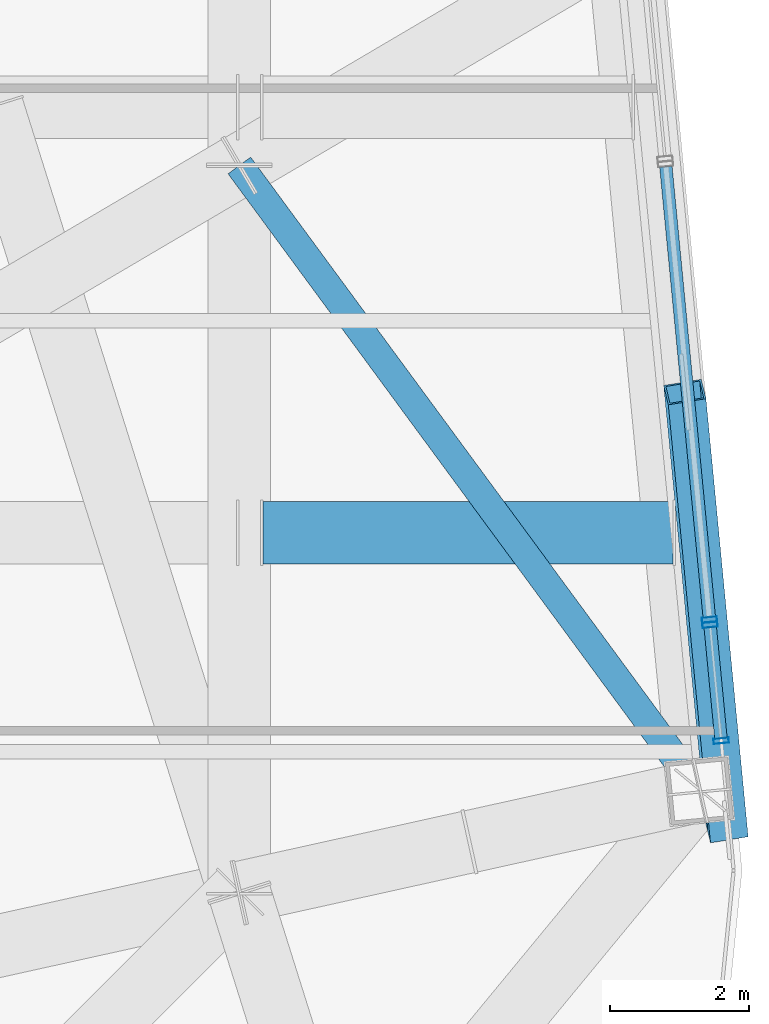
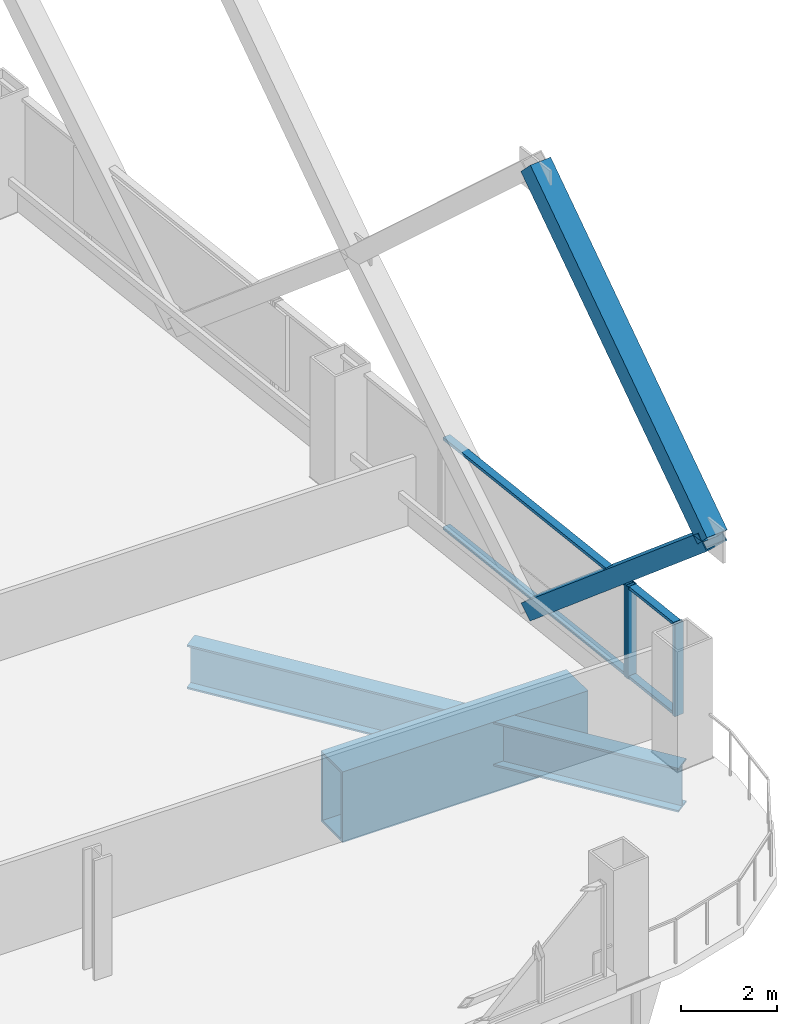
# One storey, part 18 of 42: 9 members, 2 beams, 2 elements without a shape of their own.
"""IFC4 building model written with IfcOpenShell, lengths in metres."""

from ifc_helpers import new_model, si_unit, direction, frame, origin, origin_2d, place, context, subcontext, project, spatial, hollow_rectangle, i_section, extrude, material, layer, layer_set, material_profile, profile_set, type_object, element, aggregate, save


model = new_model("IFC4")

# Units and contexts
model_context = context("Model", 3, precision=1e-05, world=origin(), true_north=direction((0.0, 1.0)))
body_context = subcontext(model_context, "Body", "Model", "MODEL_VIEW")
ifc_project = project(units=[si_unit("LENGTHUNIT", "METRE"), si_unit("AREAUNIT", "SQUARE_METRE"), si_unit("VOLUMEUNIT", "CUBIC_METRE"), si_unit("PLANEANGLEUNIT", "RADIAN"), si_unit("MASSUNIT", "GRAM", prefix="KILO")], contexts=[model_context])

# Site, building, storey
site_placement = place(None, origin())
site = spatial("IfcSite", under=ifc_project, at=site_placement, CompositionType="ELEMENT")
building_placement = place(site_placement, origin())
building = spatial("IfcBuilding", under=site, at=building_placement, Name="Qhalaya Broadcast Tower", CompositionType="ELEMENT")
storey_placement = place(building_placement, frame((0.0, 0.0, 69.449951171875)))
storey = spatial("IfcBuildingStorey", under=building, at=storey_placement, Name="L19", CompositionType="ELEMENT", Elevation=69.449951171875)

# Beam
ifc_material_1 = material(Name="Structural Steel ASTM A572 Grade 50", Category="steel")
ifc_material_profile_1 = material_profile(ifc_material_1, hollow_rectangle(XDim=0.89990234375, YDim=1.800048828125, WallThickness=0.06005859375, at=origin_2d()), Name="BOX 900x1800x60")
ifc_profile_set_1 = profile_set([ifc_material_profile_1], Name="Structural Steel ASTM A572 Grade 50")
beam_type_1 = type_object("IfcBeamType", Name="Block Cantilever Transfer Box Girder TG1", PredefinedType="USERDEFINED", material=ifc_profile_set_1)
beam_1_placement = place(storey_placement, frame((23.010009765625, -8.75, -1.119873046875), z_axis=(1.0, 0.0, 0.0), x_axis=(0.0, 1.0, 0.0)))
element("IfcBeam", 1, at=beam_1_placement, inside=storey, type_object=beam_type_1, Name="L19 TG1 L19-PGYE1-OV1", ObjectType="GIRDER", PredefinedType="USERDEFINED", context=body_context, shape_type="SweptSolid", body=[
    extrude(hollow_rectangle(XDim=0.89990234375, YDim=1.800048828125, WallThickness=0.06005859375, at=origin_2d()), origin(), (0.0, 0.0, 1.0), 5.90478515625),
])

# Members
ifc_material_profile_2 = material_profile(ifc_material_1, hollow_rectangle(XDim=0.419921875, YDim=0.550048828125, WallThickness=0.028076171875, at=origin_2d()), Name="BOX 420x550x28")
ifc_profile_set_2 = profile_set([ifc_material_profile_2], Name="Structural Steel ASTM A572 Grade 50")
member_type_1 = type_object("IfcMemberType", Name="Exoskeleton Diamond Diagonal Mid-Low EX2", PredefinedType="BRACE", material=ifc_profile_set_2)
member_1_placement = place(storey_placement, frame((29.08154296875, -6.725830078125, 0.360107421875), z_axis=(0.073066636585, -0.758635580976, 0.647405067864), x_axis=(-0.157184996454, 0.632267567763, 0.758637330775)))
element("IfcMember", 2, at=member_1_placement, inside=storey, type_object=member_type_1, Name="B2 Exoskeleton Diamond Brace E1-D1", PredefinedType="BRACE", context=body_context, shape_type="SweptSolid", body=[
    extrude(hollow_rectangle(XDim=0.419921875, YDim=0.550048828125, WallThickness=0.028076171875, at=origin_2d()), origin(), (0.0, 0.0, 1.0), 8.309814453125),
])
member_2_placement = place(storey_placement, frame((29.688720703125, -13.030029296875, 5.739990234375), z_axis=(-0.070368182799, 0.730618100613, 0.6791505797), x_axis=(0.160214414414, -0.663721379818, 0.730619785789)))
element("IfcMember", 3, at=member_2_placement, inside=storey, type_object=member_type_1, Name="B2 Exoskeleton Diamond Brace E1-D3", PredefinedType="BRACE", context=body_context, shape_type="SweptSolid", body=[
    extrude(hollow_rectangle(XDim=0.419921875, YDim=0.550048828125, WallThickness=0.028076171875, at=origin_2d()), origin(), (0.0, 0.0, 1.0), 8.628662109375),
])

# Beam
ifc_material_2 = material(Name="Structural Steel ASTM A992 Grade 50", Category="steel")
ifc_material_profile_3 = material_profile(ifc_material_2, i_section(OverallWidth=0.404052734375, OverallDepth=1.117919921875, WebThickness=0.026123046875, FlangeThickness=0.044921875, at=origin_2d()), Name="W44X335")
ifc_profile_set_3 = profile_set([ifc_material_profile_3], Name="Structural Steel ASTM A992 Grade 50")
beam_type_2 = type_object("IfcBeamType", Name="Podium Long-Span Primary Girder PG1", PredefinedType="USERDEFINED", material=ifc_profile_set_3)
beam_2_placement = place(storey_placement, frame((22.669921875, -3.46337890625, -0.779052734375), z_axis=(0.59259228274, -0.805502567617, 0.0), x_axis=(0.805502567617, 0.59259228274, 0.0)))
element("IfcBeam", 4, at=beam_2_placement, inside=storey, type_object=beam_type_2, Name="L19 Column-to-Column Moment Tie Girder 05-2", ObjectType="GIRDER", PredefinedType="USERDEFINED", context=body_context, shape_type="SweptSolid", body=[
    extrude(i_section(OverallWidth=0.404052734375, OverallDepth=1.117919921875, WebThickness=0.026123046875, FlangeThickness=0.044921875, at=origin_2d()), origin(), (0.0, 0.0, 1.0), 11.175537109375),
])

# Curtain wall, members
ifc_material_3 = material(Name="Solar-Control Low-E Triple Glazing", Category="glass")
ifc_layer_1 = layer(ifc_material_3, 0.219970703125, Name="Solar-Control Low-E Triple Glazing")
ifc_layer_set_1 = layer_set([ifc_layer_1], Name="Solar-Control Low-E Triple Glazing")
curtain_wall_type_1 = type_object("IfcCurtainWallType", Name="Even-Block 4-Storey Double-Module Curtain Wall CW-03", PredefinedType="NOTDEFINED", material=ifc_layer_set_1)
curtain_wall_1_placement = place(storey_placement, origin())
curtain_wall_1 = element("IfcCurtainWall", 5, at=curtain_wall_1_placement, inside=storey, type_object=curtain_wall_type_1, Name="L19 Unitised Curtain Wall L19-CW-E1", PredefinedType="NOTDEFINED")
ifc_material_4 = material(Name="Anodised Aluminium 6063-T6", Category="aluminium")
ifc_material_profile_4 = material_profile(ifc_material_4, hollow_rectangle(XDim=0.074951171875, YDim=0.219970703125, WallThickness=0.00390625, at=origin_2d()), Name="ALU-MUL 75x220x4")
ifc_profile_set_4 = profile_set([ifc_material_profile_4], Name="Anodised Aluminium 6063-T6")
member_type_2 = type_object("IfcMemberType", Name="Unitised Curtain-Wall Mullion M01", PredefinedType="MULLION", material=ifc_profile_set_4)
member_3_placement = place(storey_placement, frame((29.60498046875, -11.74462890625, 0.47998046875), z_axis=(0.0, 0.0, 1.0), x_axis=(-0.095835306252, 0.995397204173, 0.0)))
member_3 = element("IfcMember", 6, at=member_3_placement, type_object=member_type_2, Name="CW-03 mullion 1", PredefinedType="MULLION", context=body_context, shape_type="SweptSolid", body=[
    extrude(hollow_rectangle(XDim=0.074951171875, YDim=0.219970703125, WallThickness=0.00390625, at=origin_2d()), origin(), (0.0, 0.0, 1.0), 2.35009765625),
])
member_4_placement = place(storey_placement, frame((29.4443359375, -10.075439453125, 0.47998046875), z_axis=(0.0, 0.0, 1.0), x_axis=(-0.095835306252, 0.995397204173, 0.0)))
member_4 = element("IfcMember", 7, at=member_4_placement, type_object=member_type_2, Name="CW-03 mullion 2", PredefinedType="MULLION", context=body_context, shape_type="SweptSolid", body=[
    extrude(hollow_rectangle(XDim=0.074951171875, YDim=0.219970703125, WallThickness=0.00390625, at=origin_2d()), origin(), (0.0, 0.0, 1.0), 2.35009765625),
])

# Curtain wall, member
ifc_material_5 = material(Name="Fired Architectural Terracotta", Category="masonry")
ifc_layer_2 = layer(ifc_material_5, 0.219970703125, Name="Fired Architectural Terracotta")
ifc_layer_set_2 = layer_set([ifc_layer_2], Name="Fired Architectural Terracotta")
curtain_wall_type_2 = type_object("IfcCurtainWallType", Name="Block-Cap Unitised Terracotta Spandrel Wall CW-07", PredefinedType="NOTDEFINED", material=ifc_layer_set_2)
curtain_wall_2_placement = place(storey_placement, origin())
curtain_wall_2 = element("IfcCurtainWall", 8, at=curtain_wall_2_placement, inside=storey, type_object=curtain_wall_type_2, Name="L19 Unitised Curtain Wall L19-CW-E2", PredefinedType="NOTDEFINED")
member_5_placement = place(storey_placement, frame((29.43701171875, -10.000732421875, 0.47998046875), z_axis=(0.0, 0.0, 1.0), x_axis=(-0.095856535899, 0.995395159987, 0.0)))
member_5 = element("IfcMember", 9, at=member_5_placement, type_object=member_type_2, Name="CW-07 mullion 1", PredefinedType="MULLION", context=body_context, shape_type="SweptSolid", body=[
    extrude(hollow_rectangle(XDim=0.074951171875, YDim=0.219970703125, WallThickness=0.00390625, at=origin_2d()), origin(), (0.0, 0.0, 1.0), 2.35009765625),
])

# Member
ifc_material_profile_5 = material_profile(ifc_material_4, hollow_rectangle(XDim=0.074951171875, YDim=0.179931640625, WallThickness=0.00390625, at=origin_2d()), Name="ALU-TRN 75x180x4")
ifc_profile_set_5 = profile_set([ifc_material_profile_5], Name="Anodised Aluminium 6063-T6")
member_type_3 = type_object("IfcMemberType", Name="Unitised Curtain-Wall Transom T01", PredefinedType="USERDEFINED", material=ifc_profile_set_5)
member_6_placement = place(storey_placement, frame((29.601318359375, -11.707275390625, 0.517578125), z_axis=(-0.095715310811, 0.995408749849, 0.0), x_axis=(0.0, 0.0, 1.0)))
member_6 = element("IfcMember", 10, at=member_6_placement, type_object=member_type_3, Name="CW-03 transom 1.1", ObjectType="TRANSOM", PredefinedType="USERDEFINED", context=body_context, shape_type="SweptSolid", body=[
    extrude(hollow_rectangle(XDim=0.074951171875, YDim=0.179931640625, WallThickness=0.00390625, at=origin_2d()), origin(), (0.0, 0.0, 1.0), 1.601806640625),
])

member_7_placement = place(storey_placement, frame((29.601318359375, -11.707275390625, 2.79248046875), z_axis=(-0.095715310811, 0.995408749849, 0.0), x_axis=(0.0, 0.0, 1.0)))
member_7 = element("IfcMember", 11, at=member_7_placement, type_object=member_type_3, Name="CW-03 transom 1.2", ObjectType="TRANSOM", PredefinedType="USERDEFINED", context=body_context, shape_type="SweptSolid", body=[
    extrude(hollow_rectangle(XDim=0.074951171875, YDim=0.179931640625, WallThickness=0.00390625, at=origin_2d()), origin(), (0.0, 0.0, 1.0), 1.601806640625),
])

aggregate(curtain_wall_1, [member_3, member_4, member_6, member_7])

member_8_placement = place(storey_placement, frame((29.43359375, -9.96337890625, 0.517578125), z_axis=(-0.095888116239, 0.995392118295, 0.0), x_axis=(0.0, 0.0, 1.0)))
member_8 = element("IfcMember", 12, at=member_8_placement, type_object=member_type_3, Name="CW-07 transom 1.1", ObjectType="TRANSOM", PredefinedType="USERDEFINED", context=body_context, shape_type="SweptSolid", body=[
    extrude(hollow_rectangle(XDim=0.074951171875, YDim=0.179931640625, WallThickness=0.00390625, at=origin_2d()), origin(), (0.0, 0.0, 1.0), 6.512939453125),
])

member_9_placement = place(storey_placement, frame((29.43359375, -9.96337890625, 2.79248046875), z_axis=(-0.095888116239, 0.995392118295, 0.0), x_axis=(0.0, 0.0, 1.0)))
member_9 = element("IfcMember", 13, at=member_9_placement, type_object=member_type_3, Name="CW-07 transom 1.2", ObjectType="TRANSOM", PredefinedType="USERDEFINED", context=body_context, shape_type="SweptSolid", body=[
    extrude(hollow_rectangle(XDim=0.074951171875, YDim=0.179931640625, WallThickness=0.00390625, at=origin_2d()), origin(), (0.0, 0.0, 1.0), 6.512939453125),
])

aggregate(curtain_wall_2, [member_5, member_8, member_9])

save(model, "model.ifc")
